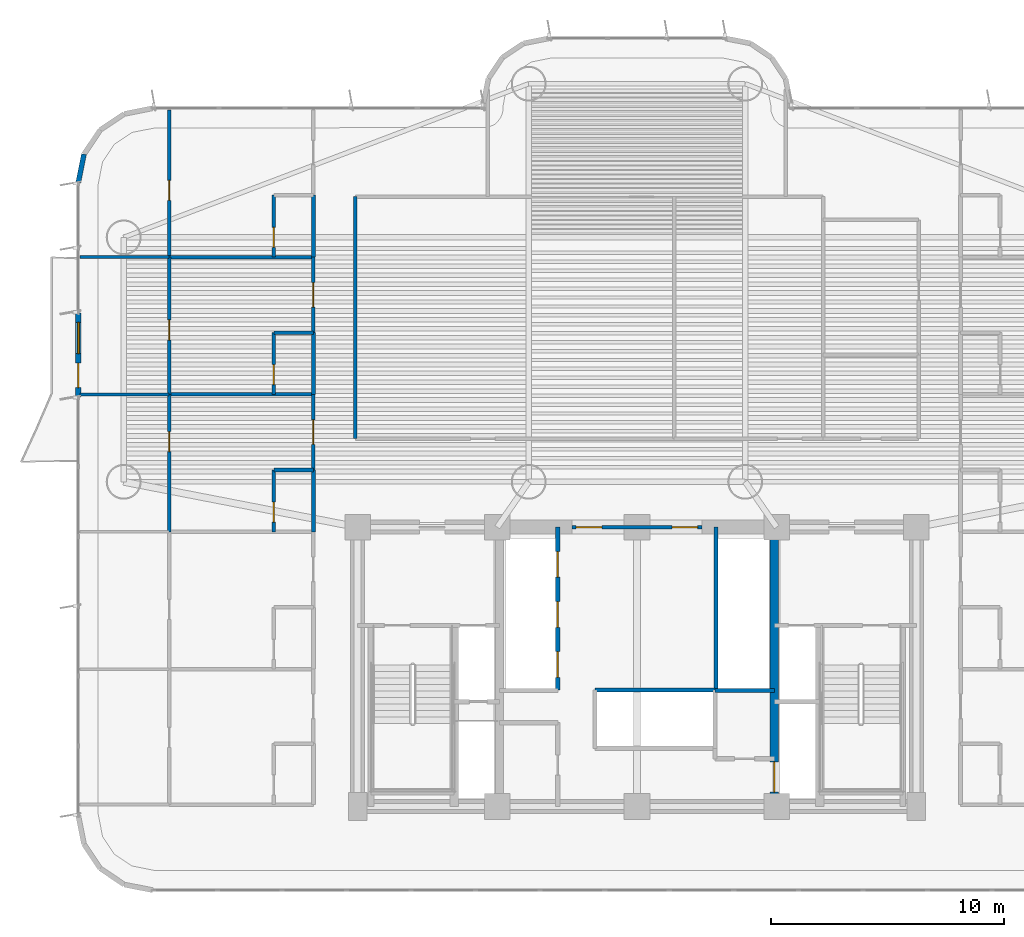
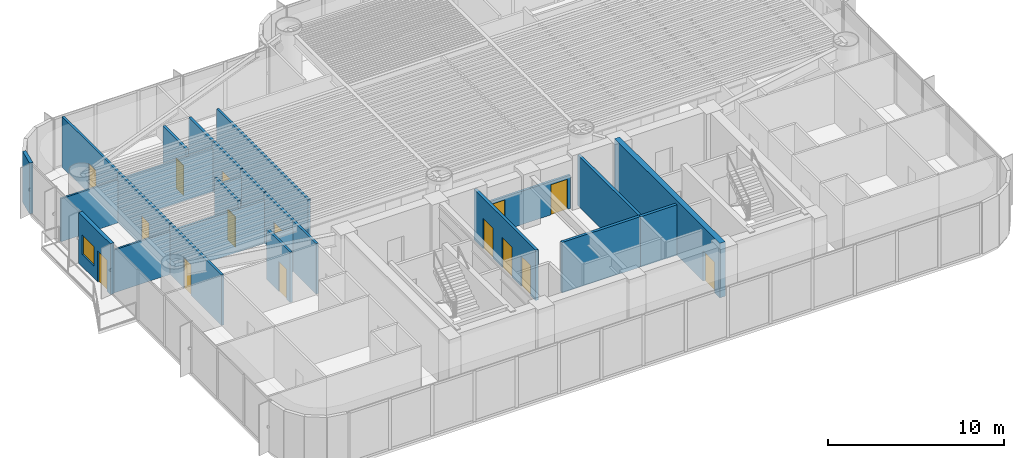
# One storey, part 11 of 18: 26 walls, 15 doors, 1 window, 16 openings.
"""IFC4 building model written with IfcOpenShell, lengths in metres."""

from ifc_helpers import new_model, si_unit, direction, frame, frame_2d, origin, origin_2d, place, context, subcontext, project, spatial, rectangle, extrude, source, transform, mapped, material, layer, layer_set, type_object, element, fill, save


model = new_model("IFC4")

# Units and contexts
model_context = context("Model", 3, precision=1e-05, world=origin(), true_north=direction((0.0, 1.0)))
body_context = subcontext(model_context, "Body", "Model", "MODEL_VIEW")
ifc_project = project(units=[si_unit("LENGTHUNIT", "METRE"), si_unit("AREAUNIT", "SQUARE_METRE"), si_unit("VOLUMEUNIT", "CUBIC_METRE"), si_unit("PLANEANGLEUNIT", "RADIAN"), si_unit("MASSUNIT", "GRAM", prefix="KILO")], contexts=[model_context])

# Site, building, storey
site_placement = place(None, origin())
site = spatial("IfcSite", under=ifc_project, at=site_placement, CompositionType="ELEMENT")
building_placement = place(site_placement, origin())
building = spatial("IfcBuilding", under=site, at=building_placement, Name="Brelvock Crest Care Tower", CompositionType="ELEMENT")
storey_placement = place(building_placement, frame((0.0, 0.0, 38.340087890625)))
storey = spatial("IfcBuildingStorey", under=building, at=storey_placement, Name="L09", CompositionType="ELEMENT", Elevation=38.340087890625)

# Wall, opening, door
ifc_material_1 = material(Name="Concrete S80 (80 MPa)", Category="concrete")
ifc_layer_1 = layer(ifc_material_1, 0.35009765625, Name="WL-CS5")
ifc_layer_set_1 = layer_set([ifc_layer_1], Name="Concrete S80 (80 MPa)")
wall_type_1 = type_object("IfcWallType", Name="WL-CS5", PredefinedType="SHEAR", material=ifc_layer_set_1)
wall_1_placement = place(storey_placement, frame((41.89990234375, 18.0, 0.0), z_axis=(0.0, 0.0, 1.0), x_axis=(0.0, -1.0, 0.0)))
wall_1 = element("IfcWall", 1, at=wall_1_placement, inside=storey, type_object=wall_type_1, Name="L09 Core Internal Web Wall East", PredefinedType="SHEAR", context=body_context, shape_type="SweptSolid", body=[
    extrude(rectangle(XDim=12.0, YDim=0.35009765625, at=frame_2d((6.0, 0.0))), origin(), (0.0, 0.0, 1.0), 3.780029296875),
])
opening_1_placement = place(wall_1_placement, frame((10.080078125, 0.0, 0.0)))
opening_1 = element("IfcOpeningElement", 2, at=opening_1_placement, cuts=wall_1, Name="Opening LD-S", PredefinedType="OPENING", context=body_context, shape_type="SweptSolid", body=[
    extrude(rectangle(XDim=1.300048828125, YDim=2.10009765625, at=origin_2d()), frame((0.64990234375, 0.18505859375, 1.050048828125), z_axis=(0.0, -1.0, 0.0), x_axis=(1.0, 0.0, 0.0)), (0.0, 0.0, 1.0), 0.3701171875),
])
ifc_material_2 = material(Name="Steel Grade 350", Category="steel")
door_type_1 = type_object("IfcDoorType", Name="DR-LDS1", OperationType="NOTDEFINED", PredefinedType="DOOR", material=ifc_material_2)
shared_shape_1 = source(origin(), body_context, "Body", "SweptSolid", [
    extrude(rectangle(XDim=1.300048828125, YDim=2.10009765625, at=origin_2d()), frame((0.64990234375, 0.02490234375, 1.050048828125), z_axis=(0.0, -1.0, 0.0), x_axis=(1.0, 0.0, 0.0)), (0.0, 0.0, 1.0), 0.050048828125),
])
door_1_placement = place(opening_1_placement, origin())
door_1 = element("IfcDoor", 3, at=door_1_placement, inside=storey, type_object=door_type_1, Name="L09 Clinical Bed Lift SL-1 Landing Door", OperationType="SLIDING_TO_LEFT", OverallHeight=2.10009765625, OverallWidth=1.300048828125, PredefinedType="DOOR", context=body_context, shape_type="MappedRepresentation", body=[
    mapped(shared_shape_1, transform((0.0, 0.0, 0.0), x_axis=(1.0, 0.0, 0.0), y_axis=(0.0, 1.0, 0.0), z_axis=(0.0, 0.0, 1.0), scale=1.0)),
])
fill(opening_1, door_1)

# Wall, openings, door, window
ifc_material_3 = material(Name="Precast concrete N40 (40 MPa)", Category="concrete")
ifc_layer_2 = layer(ifc_material_3, 0.239990234375, Name="WL-EX1")
ifc_layer_set_2 = layer_set([ifc_layer_2], Name="Precast concrete N40 (40 MPa)")
wall_type_2 = type_object("IfcWallType", Name="WL-EX1", PredefinedType="SOLIDWALL", material=ifc_layer_set_2)
wall_2_placement = place(storey_placement, frame((12.0, 23.60009765625, 0.0), z_axis=(0.0, 0.0, 1.0), x_axis=(0.0, 1.0, 0.0)))
wall_2 = element("IfcWall", 4, at=wall_2_placement, inside=storey, type_object=wall_type_2, Name="L09 Exterior Spandrel Wall WL-BAL-L09-W", PredefinedType="SOLIDWALL", context=body_context, shape_type="SweptSolid", body=[
    extrude(rectangle(XDim=3.599853515625, YDim=0.239990234375, at=frame_2d((1.7998046875, 0.0))), origin(), (0.0, 0.0, 1.0), 3.530029296875),
])
opening_2_placement = place(wall_2_placement, frame((0.39990234375, 0.0, 0.0)))
opening_2 = element("IfcOpeningElement", 5, at=opening_2_placement, cuts=wall_2, Name="Opening BD-1", PredefinedType="OPENING", context=body_context, shape_type="SweptSolid", body=[
    extrude(rectangle(XDim=1.050048828125, YDim=2.14990234375, at=origin_2d()), frame((0.52490234375, 0.1298828125, 1.074951171875), z_axis=(0.0, -1.0, 0.0), x_axis=(1.0, 0.0, 0.0)), (0.0, 0.0, 1.0), 0.260009765625),
])
opening_3_placement = place(wall_2_placement, frame((1.85009765625, 0.0, 0.85009765625)))
opening_3 = element("IfcOpeningElement", 6, at=opening_3_placement, cuts=wall_2, Name="Opening W-01", PredefinedType="OPENING", context=body_context, shape_type="SweptSolid", body=[
    extrude(rectangle(XDim=1.35009765625, YDim=1.35009765625, at=origin_2d()), frame((0.675048828125, 0.1298828125, 0.675048828125), z_axis=(0.0, -1.0, 0.0), x_axis=(1.0, 0.0, 0.0)), (0.0, 0.0, 1.0), 0.260009765625),
])
ifc_material_4 = material(Name="Dark Glass Double Glazed Low-E", Category="glass")
door_type_2 = type_object("IfcDoorType", Name="DR-BAL1", OperationType="NOTDEFINED", PredefinedType="DOOR", material=ifc_material_4)
shared_shape_2 = source(origin(), body_context, "Body", "SweptSolid", [
    extrude(rectangle(XDim=1.050048828125, YDim=2.14990234375, at=origin_2d()), frame((0.52490234375, 0.02490234375, 1.074951171875), z_axis=(0.0, -1.0, 0.0), x_axis=(1.0, 0.0, 0.0)), (0.0, 0.0, 1.0), 0.050048828125),
])
door_2_placement = place(opening_2_placement, origin())
door_2 = element("IfcDoor", 7, at=door_2_placement, inside=storey, type_object=door_type_2, Name="L09 W Wave Balcony Glazed Door", OperationType="SINGLE_SWING_LEFT", OverallHeight=2.14990234375, OverallWidth=1.050048828125, PredefinedType="DOOR", context=body_context, shape_type="MappedRepresentation", body=[
    mapped(shared_shape_2, transform((0.0, 0.0, 0.0), x_axis=(1.0, 0.0, 0.0), y_axis=(0.0, 1.0, 0.0), z_axis=(0.0, 0.0, 1.0), scale=1.0)),
])
fill(opening_2, door_2)
window_type = type_object("IfcWindowType", Name="WN-EX1", PartitioningType="SINGLE_PANEL", PredefinedType="WINDOW", material=ifc_material_4)
shared_shape_3 = source(origin(), body_context, "Body", "SweptSolid", [
    extrude(rectangle(XDim=1.35009765625, YDim=1.35009765625, at=origin_2d()), frame((0.675048828125, 0.030029296875, 0.675048828125), z_axis=(0.0, -1.0, 0.0), x_axis=(1.0, 0.0, 0.0)), (0.0, 0.0, 1.0), 0.06005859375),
])
window_placement = place(opening_3_placement, origin())
window = element("IfcWindow", 8, at=window_placement, inside=storey, type_object=window_type, Name="L09 W Suite Casement Window", OverallHeight=1.35009765625, OverallWidth=1.35009765625, PartitioningType="SINGLE_PANEL", PredefinedType="WINDOW", context=body_context, shape_type="MappedRepresentation", body=[
    mapped(shared_shape_3, transform((0.0, 0.0, 0.0), x_axis=(1.0, 0.0, 0.0), y_axis=(0.0, 1.0, 0.0), z_axis=(0.0, 0.0, 1.0), scale=1.0)),
])
fill(opening_3, window)

# Wall
ifc_layer_3 = layer(ifc_material_3, 0.215087890625, Name="WL-EX2")
ifc_layer_set_3 = layer_set([ifc_layer_3], Name="Precast concrete N40 (40 MPa)")
wall_type_3 = type_object("IfcWallType", Name="WL-EX2", PredefinedType="SOLIDWALL", material=ifc_layer_set_3)
wall_3_placement = place(storey_placement, frame((12.0, 32.800048828125, 0.0), z_axis=(0.0, 0.0, 1.0), x_axis=(0.195138390419, 0.980775717779, 0.0)))
element("IfcWall", 9, at=wall_3_placement, inside=storey, type_object=wall_type_3, Name="L09 Rounded Corner Wall 14", PredefinedType="SOLIDWALL", context=body_context, shape_type="SweptSolid", body=[
    extrude(rectangle(XDim=1.24853515625, YDim=0.215087890625, at=frame_2d((0.624267578125, 0.0))), origin(), (0.0, 0.0, 1.0), 3.530029296875),
])

# Wall, openings, doors
ifc_material_5 = material(Name="Masonry Blockwork Acoustic Partition", Category="masonry")
ifc_layer_4 = layer(ifc_material_5, 0.14990234375, Name="WL-INT1")
ifc_layer_set_4 = layer_set([ifc_layer_4], Name="Masonry Blockwork Acoustic Partition")
wall_type_4 = type_object("IfcWallType", Name="WL-INT1", PredefinedType="PARTITIONING", material=ifc_layer_set_4)
wall_4_placement = place(storey_placement, frame((33.199951171875, 18.0, 0.0), z_axis=(0.0, 0.0, 1.0), x_axis=(1.0, 0.0, 0.0)))
wall_4 = element("IfcWall", 10, at=wall_4_placement, inside=storey, type_object=wall_type_4, Name="L09 Interior Wall WL-CORE-NPORT-L09", PredefinedType="PARTITIONING", context=body_context, shape_type="SweptSolid", body=[
    extrude(rectangle(XDim=5.60009765625, YDim=0.14990234375, at=frame_2d((2.800048828125, 0.0))), origin(), (0.0, 0.0, 1.0), 2.31494140625),
])
opening_4_placement = place(wall_4_placement, frame((0.18994140625, 0.0, 0.0)))
opening_4 = element("IfcOpeningElement", 11, at=opening_4_placement, cuts=wall_4, Name="Opening FD-1", PredefinedType="OPENING", context=body_context, shape_type="SweptSolid", body=[
    extrude(rectangle(XDim=1.10009765625, YDim=2.10009765625, at=origin_2d()), frame((0.550048828125, 0.0849609375, 1.050048828125), z_axis=(0.0, -1.0, 0.0), x_axis=(1.0, 0.0, 0.0)), (0.0, 0.0, 1.0), 0.169921875),
])
opening_5_placement = place(wall_4_placement, frame((4.31005859375, 0.0, 0.0)))
opening_5 = element("IfcOpeningElement", 12, at=opening_5_placement, cuts=wall_4, Name="Opening FD-1", PredefinedType="OPENING", context=body_context, shape_type="SweptSolid", body=[
    extrude(rectangle(XDim=1.10009765625, YDim=2.10009765625, at=origin_2d()), frame((0.550048828125, 0.0849609375, 1.050048828125), z_axis=(0.0, -1.0, 0.0), x_axis=(1.0, 0.0, 0.0)), (0.0, 0.0, 1.0), 0.169921875),
])
door_type_3 = type_object("IfcDoorType", Name="DR-FFL1", OperationType="NOTDEFINED", PredefinedType="DOOR", material=ifc_material_2)
shared_shape_4 = source(origin(), body_context, "Body", "SweptSolid", [
    extrude(rectangle(XDim=1.10009765625, YDim=2.10009765625, at=origin_2d()), frame((0.550048828125, 0.02490234375, 1.050048828125), z_axis=(0.0, -1.0, 0.0), x_axis=(1.0, 0.0, 0.0)), (0.0, 0.0, 1.0), 0.050048828125),
])
door_3_placement = place(opening_4_placement, origin())
door_3 = element("IfcDoor", 13, at=door_3_placement, inside=storey, type_object=door_type_3, Name="L09 Lift Lobby North Smoke Door West", OperationType="SINGLE_SWING_LEFT", OverallHeight=2.10009765625, OverallWidth=1.10009765625, PredefinedType="DOOR", context=body_context, shape_type="MappedRepresentation", body=[
    mapped(shared_shape_4, transform((0.0, 0.0, 0.0), x_axis=(1.0, 0.0, 0.0), y_axis=(0.0, 1.0, 0.0), z_axis=(0.0, 0.0, 1.0), scale=1.0)),
])
fill(opening_4, door_3)
door_4_placement = place(opening_5_placement, origin())
door_4 = element("IfcDoor", 14, at=door_4_placement, inside=storey, type_object=door_type_3, Name="L09 Lift Lobby North Smoke Door East", OperationType="SINGLE_SWING_RIGHT", OverallHeight=2.10009765625, OverallWidth=1.10009765625, PredefinedType="DOOR", context=body_context, shape_type="MappedRepresentation", body=[
    mapped(shared_shape_4, transform((0.0, 0.0, 0.0), x_axis=(1.0, 0.0, 0.0), y_axis=(0.0, 1.0, 0.0), z_axis=(0.0, 0.0, 1.0), scale=1.0)),
])
fill(opening_5, door_4)

# Walls
for number, where, z_axis, x_axis, name in (
    (15, (15.89990234375, 23.699951171875, 0.0), (0.0, 0.0, 1.0), (1.0, 0.0, 0.0), "L09 Interior Wall WL-BX-L09-CS-WC3-N"),
    (16, (15.89990234375, 29.60009765625, 0.0), (0.0, 0.0, 1.0), (1.0, 0.0, 0.0), "L09 Interior Wall WL-BX-L09-CS-WC4-N"),
):
    element("IfcWall", number, at=place(storey_placement, frame(where, z_axis=z_axis, x_axis=x_axis)), inside=storey, type_object=wall_type_4, Name=name, PredefinedType="PARTITIONING", context=body_context, shape_type="SweptSolid", body=[
        extrude(rectangle(XDim=6.2001953125, YDim=0.14990234375, at=frame_2d((3.10009765625, 0.0))), origin(), (0.0, 0.0, 1.0), 2.98193359375),
    ])

# Wall, opening, door
wall_5_placement = place(storey_placement, frame((15.89990234375, 17.800048828125, 0.0), z_axis=(0.0, 0.0, 1.0), x_axis=(0.0, 1.0, 0.0)))
wall_5 = element("IfcWall", 17, at=wall_5_placement, inside=storey, type_object=wall_type_4, Name="L09 Interior Wall WL-RM-L09-WC3S", PredefinedType="PARTITIONING", context=body_context, shape_type="SweptSolid", body=[
    extrude(rectangle(XDim=5.89990234375, YDim=0.14990234375, at=frame_2d((2.949951171875, 0.0))), origin(), (0.0, 0.0, 1.0), 3.5),
])
opening_6_placement = place(wall_5_placement, frame((3.43994140625, 0.0, 0.0)))
opening_6 = element("IfcOpeningElement", 18, at=opening_6_placement, cuts=wall_5, Name="Opening ID-1", PredefinedType="OPENING", context=body_context, shape_type="SweptSolid", body=[
    extrude(rectangle(XDim=0.860107421875, YDim=2.10009765625, at=origin_2d()), frame((0.43017578125, 0.0849609375, 1.050048828125), z_axis=(0.0, -1.0, 0.0), x_axis=(1.0, 0.0, 0.0)), (0.0, 0.0, 1.0), 0.169921875),
])
ifc_material_6 = material(Name="Engineered Hardwood Timber", Category="wood")
door_type_4 = type_object("IfcDoorType", Name="DR-INT1", OperationType="NOTDEFINED", PredefinedType="DOOR", material=ifc_material_6)
shared_shape_5 = source(origin(), body_context, "Body", "SweptSolid", [
    extrude(rectangle(XDim=0.860107421875, YDim=2.10009765625, at=origin_2d()), frame((0.43017578125, 0.02490234375, 1.050048828125), z_axis=(0.0, -1.0, 0.0), x_axis=(1.0, 0.0, 0.0)), (0.0, 0.0, 1.0), 0.050048828125),
])
door_5_placement = place(opening_6_placement, origin())
door_5 = element("IfcDoor", 19, at=door_5_placement, inside=storey, type_object=door_type_4, Name="L09 Assisted Care Mobility Store Door WC3S", OperationType="SINGLE_SWING_LEFT", OverallHeight=2.10009765625, OverallWidth=0.860107421875, PredefinedType="DOOR", context=body_context, shape_type="MappedRepresentation", body=[
    mapped(shared_shape_5, transform((0.0, 0.0, 0.0), x_axis=(1.0, 0.0, 0.0), y_axis=(0.0, 1.0, 0.0), z_axis=(0.0, 0.0, 1.0), scale=1.0)),
])
fill(opening_6, door_5)

wall_6_placement = place(storey_placement, frame((15.89990234375, 23.699951171875, 0.0), z_axis=(0.0, 0.0, 1.0), x_axis=(0.0, 1.0, 0.0)))
wall_6 = element("IfcWall", 20, at=wall_6_placement, inside=storey, type_object=wall_type_4, Name="L09 Interior Wall WL-RM-L09-WC4S", PredefinedType="PARTITIONING", context=body_context, shape_type="SweptSolid", body=[
    extrude(rectangle(XDim=5.900146484375, YDim=0.14990234375, at=frame_2d((2.9501953125, 0.0))), origin(), (0.0, 0.0, 1.0), 3.5),
])
opening_7_placement = place(wall_6_placement, frame((2.340087890625, 0.0, 0.0)))
opening_7 = element("IfcOpeningElement", 21, at=opening_7_placement, cuts=wall_6, Name="Opening ID-1", PredefinedType="OPENING", context=body_context, shape_type="SweptSolid", body=[
    extrude(rectangle(XDim=0.860107421875, YDim=2.10009765625, at=origin_2d()), frame((0.43017578125, 0.0849609375, 1.050048828125), z_axis=(0.0, -1.0, 0.0), x_axis=(1.0, 0.0, 0.0)), (0.0, 0.0, 1.0), 0.169921875),
])
door_6_placement = place(opening_7_placement, origin())
door_6 = element("IfcDoor", 22, at=door_6_placement, inside=storey, type_object=door_type_4, Name="L09 Assisted Care Mobility Store Door WC4S", OperationType="SINGLE_SWING_LEFT", OverallHeight=2.10009765625, OverallWidth=0.860107421875, PredefinedType="DOOR", context=body_context, shape_type="MappedRepresentation", body=[
    mapped(shared_shape_5, transform((0.0, 0.0, 0.0), x_axis=(1.0, 0.0, 0.0), y_axis=(0.0, 1.0, 0.0), z_axis=(0.0, 0.0, 1.0), scale=1.0)),
])
fill(opening_7, door_6)

wall_7_placement = place(storey_placement, frame((15.89990234375, 29.60009765625, 0.0), z_axis=(0.0, 0.0, 1.0), x_axis=(0.0, 1.0, 0.0)))
wall_7 = element("IfcWall", 23, at=wall_7_placement, inside=storey, type_object=wall_type_4, Name="L09 Interior Wall WL-RM-L09-WC5S", PredefinedType="PARTITIONING", context=body_context, shape_type="SweptSolid", body=[
    extrude(rectangle(XDim=6.320068359375, YDim=0.14990234375, at=frame_2d((3.16015625, 0.0))), origin(), (0.0, 0.0, 1.0), 3.5),
])
opening_8_placement = place(wall_7_placement, frame((2.43994140625, 0.0, 0.0)))
opening_8 = element("IfcOpeningElement", 24, at=opening_8_placement, cuts=wall_7, Name="Opening ID-1", PredefinedType="OPENING", context=body_context, shape_type="SweptSolid", body=[
    extrude(rectangle(XDim=0.860107421875, YDim=2.10009765625, at=origin_2d()), frame((0.43017578125, 0.0849609375, 1.050048828125), z_axis=(0.0, -1.0, 0.0), x_axis=(1.0, 0.0, 0.0)), (0.0, 0.0, 1.0), 0.169921875),
])
door_7_placement = place(opening_8_placement, origin())
door_7 = element("IfcDoor", 25, at=door_7_placement, inside=storey, type_object=door_type_4, Name="L09 Assisted Care Mobility Store Door WC5S", OperationType="SINGLE_SWING_LEFT", OverallHeight=2.10009765625, OverallWidth=0.860107421875, PredefinedType="DOOR", context=body_context, shape_type="MappedRepresentation", body=[
    mapped(shared_shape_5, transform((0.0, 0.0, 0.0), x_axis=(1.0, 0.0, 0.0), y_axis=(0.0, 1.0, 0.0), z_axis=(0.0, 0.0, 1.0), scale=1.0)),
])
fill(opening_8, door_7)

wall_8_placement = place(storey_placement, frame((22.10009765625, 20.455078125, 0.0), z_axis=(0.0, 0.0, 1.0), x_axis=(0.0, 1.0, 0.0)))
wall_8 = element("IfcWall", 26, at=wall_8_placement, inside=storey, type_object=wall_type_4, Name="L09 Interior Wall WL-CENT-L09-WC3", PredefinedType="PARTITIONING", context=body_context, shape_type="SweptSolid", body=[
    extrude(rectangle(XDim=3.244873046875, YDim=0.14990234375, at=frame_2d((1.62255859375, 0.0))), origin(), (0.0, 0.0, 1.0), 3.5),
])
opening_9_placement = place(wall_8_placement, frame((1.10302734375, 0.0, 0.0)))
opening_9 = element("IfcOpeningElement", 27, at=opening_9_placement, cuts=wall_8, Name="Opening CD-1", PredefinedType="OPENING", context=body_context, shape_type="SweptSolid", body=[
    extrude(rectangle(XDim=1.050048828125, YDim=2.10009765625, at=origin_2d()), frame((0.52490234375, 0.0849609375, 1.050048828125), z_axis=(0.0, -1.0, 0.0), x_axis=(1.0, 0.0, 0.0)), (0.0, 0.0, 1.0), 0.169921875),
])
door_type_5 = type_object("IfcDoorType", Name="DR-CARE1", OperationType="NOTDEFINED", PredefinedType="DOOR", material=ifc_material_6)
shared_shape_6 = source(origin(), body_context, "Body", "SweptSolid", [
    extrude(rectangle(XDim=1.050048828125, YDim=2.10009765625, at=origin_2d()), frame((0.52490234375, 0.02490234375, 1.050048828125), z_axis=(0.0, -1.0, 0.0), x_axis=(1.0, 0.0, 0.0)), (0.0, 0.0, 1.0), 0.050048828125),
])
door_8_placement = place(opening_9_placement, origin())
door_8 = element("IfcDoor", 28, at=door_8_placement, inside=storey, type_object=door_type_5, Name="L09 Care Suite Door WC3", OperationType="SINGLE_SWING_LEFT", OverallHeight=2.10009765625, OverallWidth=1.050048828125, PredefinedType="DOOR", context=body_context, shape_type="MappedRepresentation", body=[
    mapped(shared_shape_6, transform((0.0, 0.0, 0.0), x_axis=(1.0, 0.0, 0.0), y_axis=(0.0, 1.0, 0.0), z_axis=(0.0, 0.0, 1.0), scale=1.0)),
])
fill(opening_9, door_8)

wall_9_placement = place(storey_placement, frame((22.10009765625, 26.35498046875, 0.0), z_axis=(0.0, 0.0, 1.0), x_axis=(0.0, 1.0, 0.0)))
wall_9 = element("IfcWall", 29, at=wall_9_placement, inside=storey, type_object=wall_type_4, Name="L09 Interior Wall WL-CENT-L09-WC4", PredefinedType="PARTITIONING", context=body_context, shape_type="SweptSolid", body=[
    extrude(rectangle(XDim=3.2451171875, YDim=0.14990234375, at=frame_2d((1.62255859375, 0.0))), origin(), (0.0, 0.0, 1.0), 3.5),
])
opening_10_placement = place(wall_9_placement, frame((1.10302734375, 0.0, 0.0)))
opening_10 = element("IfcOpeningElement", 30, at=opening_10_placement, cuts=wall_9, Name="Opening CD-1", PredefinedType="OPENING", context=body_context, shape_type="SweptSolid", body=[
    extrude(rectangle(XDim=1.050048828125, YDim=2.10009765625, at=origin_2d()), frame((0.52490234375, 0.0849609375, 1.050048828125), z_axis=(0.0, -1.0, 0.0), x_axis=(1.0, 0.0, 0.0)), (0.0, 0.0, 1.0), 0.169921875),
])
door_9_placement = place(opening_10_placement, origin())
door_9 = element("IfcDoor", 31, at=door_9_placement, inside=storey, type_object=door_type_5, Name="L09 Care Suite Door WC4", OperationType="SINGLE_SWING_LEFT", OverallHeight=2.10009765625, OverallWidth=1.050048828125, PredefinedType="DOOR", context=body_context, shape_type="MappedRepresentation", body=[
    mapped(shared_shape_6, transform((0.0, 0.0, 0.0), x_axis=(1.0, 0.0, 0.0), y_axis=(0.0, 1.0, 0.0), z_axis=(0.0, 0.0, 1.0), scale=1.0)),
])
fill(opening_10, door_9)

# Walls
wall_10_placement = place(storey_placement, frame((23.89990234375, 21.800048828125, 0.0), z_axis=(0.0, 0.0, 1.0), x_axis=(0.0, 1.0, 0.0)))
element("IfcWall", 32, at=wall_10_placement, inside=storey, type_object=wall_type_4, Name="L09 Interior Wall WL-BX-L09-CNW-W", PredefinedType="PARTITIONING", context=body_context, shape_type="SweptSolid", body=[
    extrude(rectangle(XDim=10.39990234375, YDim=0.14990234375, at=frame_2d((5.199951171875, 0.0))), origin(), (0.0, 0.0, 1.0), 3.5),
])
ifc_material_7 = material(Name="Gypsum Plasterboard Partition", Category="gypsum")
ifc_layer_5 = layer(ifc_material_7, 0.1201171875, Name="WL-INT2")
ifc_layer_set_5 = layer_set([ifc_layer_5], Name="Gypsum Plasterboard Partition")
wall_type_5 = type_object("IfcWallType", Name="WL-INT2", PredefinedType="PARTITIONING", material=ifc_layer_set_5)
for number, where, z_axis, x_axis, name in (
    (33, (12.080078125, 23.699951171875, 0.0), (0.0, 0.0, 1.0), (1.0, 0.0, 0.0), "L09 Interior Wall WL-BX-L09-WC3S-N"),
    (34, (12.080078125, 29.60009765625, 0.0), (0.0, 0.0, 1.0), (1.0, 0.0, 0.0), "L09 Interior Wall WL-BX-L09-WC4S-N"),
):
    element("IfcWall", number, at=place(storey_placement, frame(where, z_axis=z_axis, x_axis=x_axis)), inside=storey, type_object=wall_type_5, Name=name, PredefinedType="PARTITIONING", context=body_context, shape_type="SweptSolid", body=[
        extrude(rectangle(XDim=3.81982421875, YDim=0.1201171875, at=frame_2d((1.909912109375, 0.0))), origin(), (0.0, 0.0, 1.0), 2.98193359375),
    ])
ifc_layer_6 = layer(ifc_material_7, 0.159912109375, Name="WL-PLM1")
ifc_layer_set_6 = layer_set([ifc_layer_6], Name="Gypsum Plasterboard Partition")
wall_type_6 = type_object("IfcWallType", Name="WL-PLM1", PredefinedType="PLUMBINGWALL", material=ifc_layer_set_6)
for number, where, z_axis, x_axis, name in (
    (35, (20.39990234375, 20.455078125, 0.0), (0.0, 0.0, 1.0), (1.0, 0.0, 0.0), "L09 Interior Wall WL-CENS2-L09-WC3"),
    (36, (20.39990234375, 26.35498046875, 0.0), (0.0, 0.0, 1.0), (1.0, 0.0, 0.0), "L09 Interior Wall WL-CENS2-L09-WC4"),
):
    element("IfcWall", number, at=place(storey_placement, frame(where, z_axis=z_axis, x_axis=x_axis)), inside=storey, type_object=wall_type_6, Name=name, PredefinedType="PLUMBINGWALL", context=body_context, shape_type="SweptSolid", body=[
        extrude(rectangle(XDim=1.7001953125, YDim=0.159912109375, at=frame_2d((0.85009765625, 0.0))), origin(), (0.0, 0.0, 1.0), 2.98193359375),
    ])

# Wall, opening, door
wall_11_placement = place(storey_placement, frame((20.39990234375, 17.800048828125, 0.0), z_axis=(0.0, 0.0, 1.0), x_axis=(0.0, 1.0, 0.0)))
wall_11 = element("IfcWall", 37, at=wall_11_placement, inside=storey, type_object=wall_type_6, Name="L09 Interior Wall WL-CENS1-L09-WC3", PredefinedType="PLUMBINGWALL", context=body_context, shape_type="SweptSolid", body=[
    extrude(rectangle(XDim=2.655029296875, YDim=0.159912109375, at=frame_2d((1.32763671875, 0.0))), origin(), (0.0, 0.0, 1.0), 3.5),
])
opening_11_placement = place(wall_11_placement, frame((0.419921875, 0.0, 0.0)))
opening_11 = element("IfcOpeningElement", 38, at=opening_11_placement, cuts=wall_11, Name="Opening WD-1", PredefinedType="OPENING", context=body_context, shape_type="SweptSolid", body=[
    extrude(rectangle(XDim=0.860107421875, YDim=2.10009765625, at=origin_2d()), frame((0.43017578125, 0.08984375, 1.050048828125), z_axis=(0.0, -1.0, 0.0), x_axis=(1.0, 0.0, 0.0)), (0.0, 0.0, 1.0), 0.179931640625),
])
door_type_6 = type_object("IfcDoorType", Name="DR-WC1", OperationType="NOTDEFINED", PredefinedType="DOOR", material=ifc_material_6)
shared_shape_7 = source(origin(), body_context, "Body", "SweptSolid", [
    extrude(rectangle(XDim=0.860107421875, YDim=2.10009765625, at=origin_2d()), frame((0.43017578125, 0.02490234375, 1.050048828125), z_axis=(0.0, -1.0, 0.0), x_axis=(1.0, 0.0, 0.0)), (0.0, 0.0, 1.0), 0.050048828125),
])
door_10_placement = place(opening_11_placement, origin())
door_10 = element("IfcDoor", 39, at=door_10_placement, inside=storey, type_object=door_type_6, Name="L09 Care En-Suite Door WC3", OperationType="SINGLE_SWING_LEFT", OverallHeight=2.10009765625, OverallWidth=0.860107421875, PredefinedType="DOOR", context=body_context, shape_type="MappedRepresentation", body=[
    mapped(shared_shape_7, transform((0.0, 0.0, 0.0), x_axis=(1.0, 0.0, 0.0), y_axis=(0.0, 1.0, 0.0), z_axis=(0.0, 0.0, 1.0), scale=1.0)),
])
fill(opening_11, door_10)

wall_12_placement = place(storey_placement, frame((20.39990234375, 23.699951171875, 0.0), z_axis=(0.0, 0.0, 1.0), x_axis=(0.0, 1.0, 0.0)))
wall_12 = element("IfcWall", 40, at=wall_12_placement, inside=storey, type_object=wall_type_6, Name="L09 Interior Wall WL-CENS1-L09-WC4", PredefinedType="PLUMBINGWALL", context=body_context, shape_type="SweptSolid", body=[
    extrude(rectangle(XDim=2.655029296875, YDim=0.159912109375, at=frame_2d((1.32763671875, 0.0))), origin(), (0.0, 0.0, 1.0), 3.5),
])
opening_12_placement = place(wall_12_placement, frame((0.419921875, 0.0, 0.0)))
opening_12 = element("IfcOpeningElement", 41, at=opening_12_placement, cuts=wall_12, Name="Opening WD-1", PredefinedType="OPENING", context=body_context, shape_type="SweptSolid", body=[
    extrude(rectangle(XDim=0.860107421875, YDim=2.10009765625, at=origin_2d()), frame((0.43017578125, 0.08984375, 1.050048828125), z_axis=(0.0, -1.0, 0.0), x_axis=(1.0, 0.0, 0.0)), (0.0, 0.0, 1.0), 0.179931640625),
])
door_11_placement = place(opening_12_placement, origin())
door_11 = element("IfcDoor", 42, at=door_11_placement, inside=storey, type_object=door_type_6, Name="L09 Care En-Suite Door WC4", OperationType="SINGLE_SWING_LEFT", OverallHeight=2.10009765625, OverallWidth=0.860107421875, PredefinedType="DOOR", context=body_context, shape_type="MappedRepresentation", body=[
    mapped(shared_shape_7, transform((0.0, 0.0, 0.0), x_axis=(1.0, 0.0, 0.0), y_axis=(0.0, 1.0, 0.0), z_axis=(0.0, 0.0, 1.0), scale=1.0)),
])
fill(opening_12, door_11)

wall_13_placement = place(storey_placement, frame((20.39990234375, 29.60009765625, 0.0), z_axis=(0.0, 0.0, 1.0), x_axis=(0.0, 1.0, 0.0)))
wall_13 = element("IfcWall", 43, at=wall_13_placement, inside=storey, type_object=wall_type_6, Name="L09 Interior Wall WL-CENS1-L09-WC5", PredefinedType="PLUMBINGWALL", context=body_context, shape_type="SweptSolid", body=[
    extrude(rectangle(XDim=2.663818359375, YDim=0.159912109375, at=frame_2d((1.33203125, 0.0))), origin(), (0.0, 0.0, 1.0), 3.5),
])
opening_13_placement = place(wall_13_placement, frame((0.419921875, 0.0, 0.0)))
opening_13 = element("IfcOpeningElement", 44, at=opening_13_placement, cuts=wall_13, Name="Opening WD-1", PredefinedType="OPENING", context=body_context, shape_type="SweptSolid", body=[
    extrude(rectangle(XDim=0.860107421875, YDim=2.10009765625, at=origin_2d()), frame((0.43017578125, 0.08984375, 1.050048828125), z_axis=(0.0, -1.0, 0.0), x_axis=(1.0, 0.0, 0.0)), (0.0, 0.0, 1.0), 0.179931640625),
])
door_12_placement = place(opening_13_placement, origin())
door_12 = element("IfcDoor", 45, at=door_12_placement, inside=storey, type_object=door_type_6, Name="L09 Care En-Suite Door WC5", OperationType="SINGLE_SWING_LEFT", OverallHeight=2.10009765625, OverallWidth=0.860107421875, PredefinedType="DOOR", context=body_context, shape_type="MappedRepresentation", body=[
    mapped(shared_shape_7, transform((0.0, 0.0, 0.0), x_axis=(1.0, 0.0, 0.0), y_axis=(0.0, 1.0, 0.0), z_axis=(0.0, 0.0, 1.0), scale=1.0)),
])
fill(opening_13, door_12)

# Walls
for number, where, z_axis, x_axis, name in (
    (46, (22.10009765625, 17.800048828125, 0.0), (0.0, 0.0, 1.0), (0.0, 1.0, 0.0), "L09 Interior Wall WL-CENS0-L09-WC3"),
    (47, (22.10009765625, 23.699951171875, 0.0), (0.0, 0.0, 1.0), (0.0, 1.0, 0.0), "L09 Interior Wall WL-CENS0-L09-WC4"),
):
    element("IfcWall", number, at=place(storey_placement, frame(where, z_axis=z_axis, x_axis=x_axis)), inside=storey, type_object=wall_type_6, Name=name, PredefinedType="PLUMBINGWALL", context=body_context, shape_type="SweptSolid", body=[
        extrude(rectangle(XDim=2.655029296875, YDim=0.159912109375, at=frame_2d((1.32763671875, 0.0))), origin(), (0.0, 0.0, 1.0), 3.5),
    ])
wall_14_placement = place(storey_placement, frame((22.10009765625, 29.60009765625, 0.0), z_axis=(0.0, 0.0, 1.0), x_axis=(0.0, 1.0, 0.0)))
element("IfcWall", 48, at=wall_14_placement, inside=storey, type_object=wall_type_6, Name="L09 Interior Wall WL-CENS0-L09-WC5", PredefinedType="PLUMBINGWALL", context=body_context, shape_type="SweptSolid", body=[
    extrude(rectangle(XDim=2.663818359375, YDim=0.159912109375, at=frame_2d((1.33203125, 0.0))), origin(), (0.0, 0.0, 1.0), 3.5),
])
ifc_layer_7 = layer(ifc_material_5, 0.179931640625, Name="WL-SHF1")
ifc_layer_set_7 = layer_set([ifc_layer_7], Name="Masonry Blockwork Acoustic Partition")
wall_type_7 = type_object("IfcWallType", Name="WL-SHF1", PredefinedType="PARTITIONING", material=ifc_layer_set_7)
wall_15_placement = place(storey_placement, frame((34.199951171875, 11.0, 0.0), z_axis=(0.0, 0.0, 1.0), x_axis=(1.0, 0.0, 0.0)))
element("IfcWall", 49, at=wall_15_placement, inside=storey, type_object=wall_type_7, Name="L09 Interior Wall WL-PLM-SHF-L09", PredefinedType="PARTITIONING", context=body_context, shape_type="SweptSolid", body=[
    extrude(rectangle(XDim=5.150146484375, YDim=0.179931640625, at=frame_2d((2.5751953125, 0.0))), origin(), (0.0, 0.0, 1.0), 3.5),
])
wall_16_placement = place(storey_placement, frame((39.39990234375, 11.0, 0.0), z_axis=(0.0, 0.0, 1.0), x_axis=(0.0, 1.0, 0.0)))
element("IfcWall", 50, at=wall_16_placement, inside=storey, type_object=wall_type_7, Name="L09 Interior Wall WL-PLH-SHF-L09", PredefinedType="PARTITIONING", context=body_context, shape_type="SweptSolid", body=[
    extrude(rectangle(XDim=7.0, YDim=0.179931640625, at=frame_2d((3.5, 0.0))), origin(), (0.0, 0.0, 1.0), 3.5),
])
wall_17_placement = place(storey_placement, frame((39.35009765625, 10.97998046875, 0.0), z_axis=(0.0, 0.0, 1.0), x_axis=(1.0, 0.0, 0.0)))
element("IfcWall", 51, at=wall_17_placement, inside=storey, type_object=wall_type_7, Name="L09 Interior Wall WL-CSBE-N-L09", PredefinedType="PARTITIONING", context=body_context, shape_type="SweptSolid", body=[
    extrude(rectangle(XDim=2.5498046875, YDim=0.179931640625, at=frame_2d((1.27490234375, 0.0))), origin(), (0.0, 0.0, 1.0), 3.5),
])

# Wall, openings, doors
wall_18_placement = place(storey_placement, frame((32.60009765625, 11.0, 0.0), z_axis=(0.0, 0.0, 1.0), x_axis=(0.0, 1.0, 0.0)))
wall_18 = element("IfcWall", 52, at=wall_18_placement, inside=storey, type_object=wall_type_7, Name="L09 Interior Wall WL-PLL-BANK-L09", PredefinedType="PARTITIONING", context=body_context, shape_type="SweptSolid", body=[
    extrude(rectangle(XDim=7.0, YDim=0.179931640625, at=frame_2d((3.5, 0.0))), origin(), (0.0, 0.0, 1.0), 3.5),
])
opening_14_placement = place(wall_18_placement, frame((0.550048828125, 0.0, 0.0)))
opening_14 = element("IfcOpeningElement", 53, at=opening_14_placement, cuts=wall_18, Name="Opening LD", PredefinedType="OPENING", context=body_context, shape_type="SweptSolid", body=[
    extrude(rectangle(XDim=1.10009765625, YDim=2.10009765625, at=origin_2d()), frame((0.550048828125, 0.10009765625, 1.050048828125), z_axis=(0.0, -1.0, 0.0), x_axis=(1.0, 0.0, 0.0)), (0.0, 0.0, 1.0), 0.199951171875),
])
opening_15_placement = place(wall_18_placement, frame((2.699951171875, 0.0, 0.0)))
opening_15 = element("IfcOpeningElement", 54, at=opening_15_placement, cuts=wall_18, Name="Opening LD", PredefinedType="OPENING", context=body_context, shape_type="SweptSolid", body=[
    extrude(rectangle(XDim=1.10009765625, YDim=2.10009765625, at=origin_2d()), frame((0.550048828125, 0.10009765625, 1.050048828125), z_axis=(0.0, -1.0, 0.0), x_axis=(1.0, 0.0, 0.0)), (0.0, 0.0, 1.0), 0.199951171875),
])
opening_16_placement = place(wall_18_placement, frame((4.85009765625, 0.0, 0.0)))
opening_16 = element("IfcOpeningElement", 55, at=opening_16_placement, cuts=wall_18, Name="Opening LD", PredefinedType="OPENING", context=body_context, shape_type="SweptSolid", body=[
    extrude(rectangle(XDim=1.10009765625, YDim=2.10009765625, at=origin_2d()), frame((0.550048828125, 0.10009765625, 1.050048828125), z_axis=(0.0, -1.0, 0.0), x_axis=(1.0, 0.0, 0.0)), (0.0, 0.0, 1.0), 0.199951171875),
])
door_type_7 = type_object("IfcDoorType", Name="DR-LD1", OperationType="NOTDEFINED", PredefinedType="DOOR", material=ifc_material_2)
shared_shape_8 = source(origin(), body_context, "Body", "SweptSolid", [
    extrude(rectangle(XDim=1.10009765625, YDim=2.10009765625, at=origin_2d()), frame((0.550048828125, 0.02490234375, 1.050048828125), z_axis=(0.0, -1.0, 0.0), x_axis=(1.0, 0.0, 0.0)), (0.0, 0.0, 1.0), 0.050048828125),
])
door_13_placement = place(opening_14_placement, origin())
door_13 = element("IfcDoor", 56, at=door_13_placement, inside=storey, type_object=door_type_7, Name="L09 Lift PL-L1 Landing Door", OperationType="SLIDING_TO_LEFT", OverallHeight=2.10009765625, OverallWidth=1.10009765625, PredefinedType="DOOR", context=body_context, shape_type="MappedRepresentation", body=[
    mapped(shared_shape_8, transform((0.0, 0.0, 0.0), x_axis=(1.0, 0.0, 0.0), y_axis=(0.0, 1.0, 0.0), z_axis=(0.0, 0.0, 1.0), scale=1.0)),
])
fill(opening_14, door_13)
door_14_placement = place(opening_15_placement, origin())
door_14 = element("IfcDoor", 57, at=door_14_placement, inside=storey, type_object=door_type_7, Name="L09 Lift PL-L2 Landing Door", OperationType="SLIDING_TO_LEFT", OverallHeight=2.10009765625, OverallWidth=1.10009765625, PredefinedType="DOOR", context=body_context, shape_type="MappedRepresentation", body=[
    mapped(shared_shape_8, transform((0.0, 0.0, 0.0), x_axis=(1.0, 0.0, 0.0), y_axis=(0.0, 1.0, 0.0), z_axis=(0.0, 0.0, 1.0), scale=1.0)),
])
fill(opening_15, door_14)
door_15_placement = place(opening_16_placement, origin())
door_15 = element("IfcDoor", 58, at=door_15_placement, inside=storey, type_object=door_type_7, Name="L09 Lift PL-L3 Landing Door", OperationType="SLIDING_TO_LEFT", OverallHeight=2.10009765625, OverallWidth=1.10009765625, PredefinedType="DOOR", context=body_context, shape_type="MappedRepresentation", body=[
    mapped(shared_shape_8, transform((0.0, 0.0, 0.0), x_axis=(1.0, 0.0, 0.0), y_axis=(0.0, 1.0, 0.0), z_axis=(0.0, 0.0, 1.0), scale=1.0)),
])
fill(opening_16, door_15)

save(model, "model.ifc")
